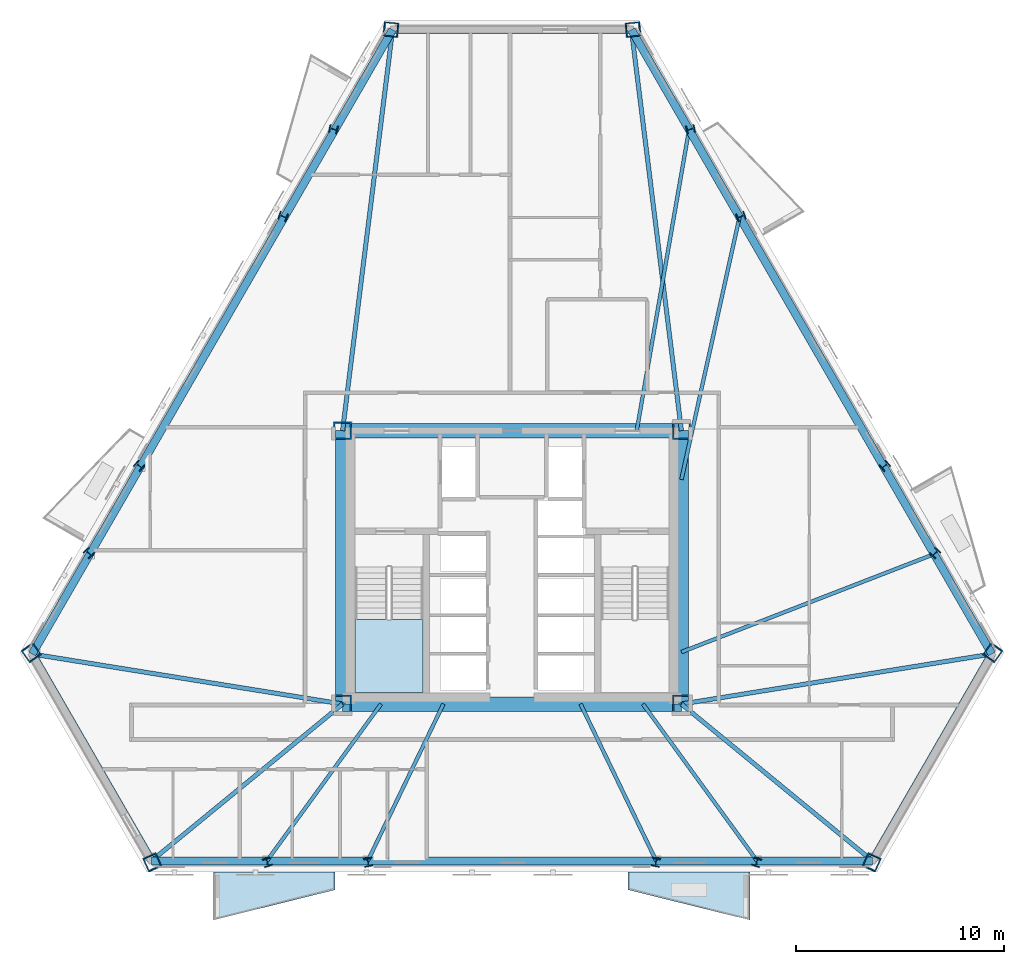
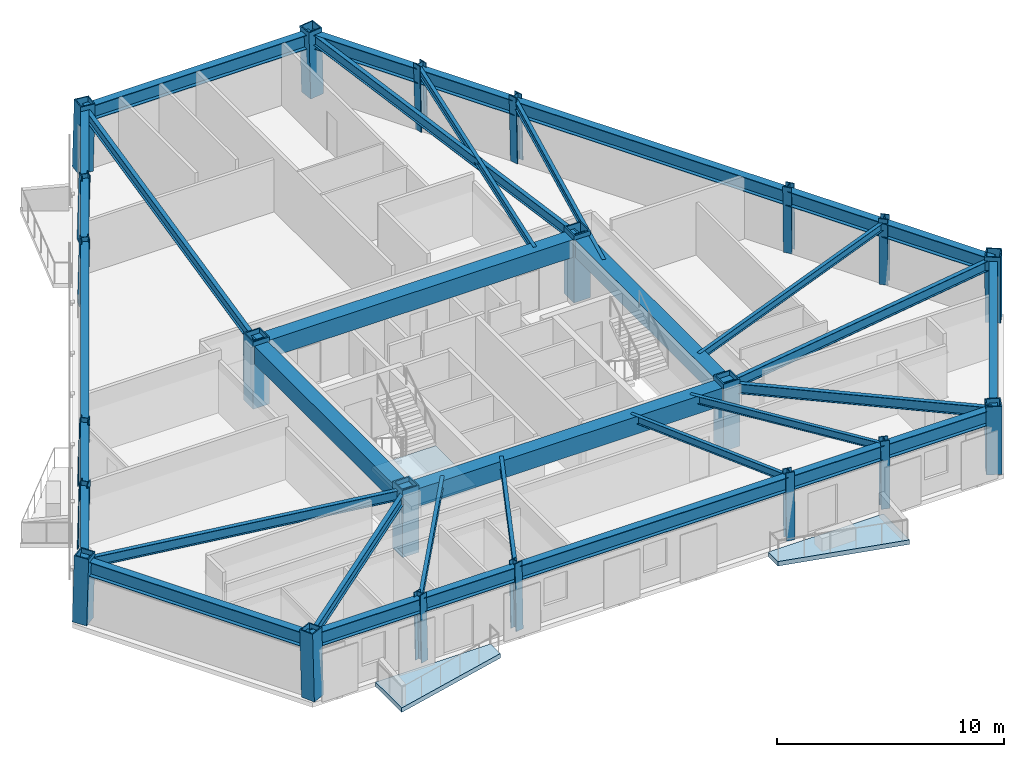
# One storey, part 1 of 9: 35 beams, 22 columns, 3 slabs, 1 element without a shape of its own.
"""IFC4 building model written with IfcOpenShell, lengths in metres."""

from ifc_helpers import new_model, si_unit, direction, frame, origin, origin_2d, place, context, subcontext, project, spatial, polyline, rectangle, hollow_rectangle, i_section, outline, extrude, material, layer, layer_set, material_profile, profile_set, type_object, element, aggregate, save


model = new_model("IFC4")

# Units and contexts
model_context = context("Model", 3, precision=1e-05, world=origin(), true_north=direction((0.0, 1.0)))
body_context = subcontext(model_context, "Body", "Model", "MODEL_VIEW")
ifc_project = project(units=[si_unit("LENGTHUNIT", "METRE"), si_unit("AREAUNIT", "SQUARE_METRE"), si_unit("VOLUMEUNIT", "CUBIC_METRE"), si_unit("PLANEANGLEUNIT", "RADIAN"), si_unit("MASSUNIT", "GRAM", prefix="KILO")], contexts=[model_context])

# Site, building, storey
site_placement = place(None, origin())
site = spatial("IfcSite", under=ifc_project, at=site_placement, CompositionType="ELEMENT")
building_placement = place(site_placement, origin())
building = spatial("IfcBuilding", under=site, at=building_placement, Name="Oramaril Tower", CompositionType="ELEMENT")
storey_placement = place(building_placement, frame((0.0, 0.0, 104.10009765625)))
storey = spatial("IfcBuildingStorey", under=building, at=storey_placement, Name="L27", CompositionType="ELEMENT", Elevation=104.10009765625)

# Columns
ifc_material_1 = material(Name="Steel ASTM A572 Gr 50", Category="steel")
ifc_material_profile_1 = material_profile(ifc_material_1, hollow_rectangle(XDim=0.85009765625, YDim=0.85009765625, WallThickness=0.070068359375, at=origin_2d()), Name="BOX850X850X70")
ifc_profile_set_1 = profile_set([ifc_material_profile_1], Name="Steel ASTM A572 Gr 50")
column_type_1 = type_object("IfcColumnType", Name="CT-CC3", PredefinedType="COLUMN", material=ifc_profile_set_1)
for number, where, z_axis, x_axis, name in (
    (1, (29.35009765625, 11.0, 0.0), (0.0, 0.0, 1.0), (1.0, 0.0, 0.0), "L27 Core Column CC-1"),
    (2, (45.64990234375, 11.0, 0.0), (0.0, 0.0, 1.0), (1.0, 0.0, 0.0), "L27 Core Column CC-2"),
    (3, (45.64990234375, 24.14990234375, 0.0), (0.0, 0.0, 1.0), (1.0, 0.0, 0.0), "L27 Core Column CC-3"),
    (4, (29.35009765625, 24.14990234375, 0.0), (0.0, 0.0, 1.0), (1.0, 0.0, 0.0), "L27 Core Column CC-4"),
):
    element("IfcColumn", number, at=place(storey_placement, frame(where, z_axis=z_axis, x_axis=x_axis)), inside=storey, type_object=column_type_1, Name=name, PredefinedType="COLUMN", context=body_context, shape_type="SweptSolid", body=[
        extrude(hollow_rectangle(XDim=0.85009765625, YDim=0.85009765625, WallThickness=0.070068359375, at=origin_2d()), origin(), (0.0, 0.0, 1.0), 3.599853515625),
    ])
ifc_material_2 = material(Name="Steel ASTM A572 Gr 50", Category="steel")
ifc_material_profile_2 = material_profile(ifc_material_2, hollow_rectangle(XDim=0.699951171875, YDim=0.699951171875, WallThickness=0.054931640625, at=origin_2d()), Name="BOX700X700X55")
ifc_profile_set_2 = profile_set([ifc_material_profile_2], Name="Steel ASTM A572 Gr 50")
column_type_2 = type_object("IfcColumnType", Name="CT-TC4", PredefinedType="COLUMN", material=ifc_profile_set_2)
for number, where, z_axis, x_axis, name in (
    (5, (14.365478515625, 13.483154296875, 0.00439453125), (0.015291462474, -0.021408047463, 0.999653873438), (0.813733471207, 0.581238193719, 0.0), "L27 Tube Column TC-01"),
    (6, (20.202392578125, 3.373291015625, 0.00439453125), (-0.010873919855, 0.023990585679, 0.999653044644), (-0.910807772267, -0.412830718308, 0.0), "L27 Tube Column TC-02"),
    (7, (54.797607421875, 3.373291015625, 0.00439453125), (0.010873919855, 0.023990585679, 0.999653044644), (-0.910807772267, 0.412830718308, 0.0), "L27 Tube Column TC-03"),
    (8, (60.634521484375, 13.483154296875, 0.00439453125), (-0.015291462474, -0.021408047463, 0.999653873438), (0.813733471207, -0.581238193719, 0.0), "L27 Tube Column TC-04"),
    (9, (43.3369140625, 43.443603515625, 0.00439453125), (-0.026165402281, -0.002582559186, 0.999654291299), (0.098224011783, -0.995164329902, 0.0), "L27 Tube Column TC-05"),
    (10, (31.6630859375, 43.443603515625, 0.00439453125), (0.026165402281, -0.002582559186, 0.999654291299), (0.098224011783, 0.995164329902, 0.0), "L27 Tube Column TC-06"),
):
    element("IfcColumn", number, at=place(storey_placement, frame(where, z_axis=z_axis, x_axis=x_axis)), inside=storey, type_object=column_type_2, Name=name, PredefinedType="COLUMN", context=body_context, shape_type="SweptSolid", body=[
        extrude(hollow_rectangle(XDim=0.699951171875, YDim=0.699951171875, WallThickness=0.054931640625, at=origin_2d()), origin(), (0.0, 0.0, 1.0), 3.59228515625),
    ])
ifc_material_3 = material(Name="Steel ASTM A572 Gr 50", Category="steel")
ifc_material_profile_3 = material_profile(ifc_material_3, i_section(OverallWidth=0.404052734375, OverallDepth=0.406005859375, WebThickness=0.027099609375, FlangeThickness=0.043701171875, at=origin_2d()), Name="W14X233")
ifc_profile_set_3 = profile_set([ifc_material_profile_3], Name="Steel ASTM A572 Gr 50")
column_type_3 = type_object("IfcColumnType", Name="CT-TF3", PredefinedType="COLUMN", material=ifc_profile_set_3)
column_1_placement = place(storey_placement, frame((25.737548828125, 3.373291015625, 0.00439453125), z_axis=(-0.007340132141, 0.02399135783, 0.999685219061), x_axis=(-0.956246364311, -0.292562627041, 0.0)))
element("IfcColumn", 11, at=column_1_placement, inside=storey, type_object=column_type_3, Name="L27 Tube Column TC-07", PredefinedType="COLUMN", context=body_context, shape_type="SweptSolid", body=[
    extrude(i_section(OverallWidth=0.404052734375, OverallDepth=0.406005859375, WebThickness=0.027099609375, FlangeThickness=0.043701171875, at=origin_2d()), origin(), (0.0, 0.0, 1.0), 3.59228515625),
])
for number, where, z_axis, x_axis, name in (
    (12, (30.580810546875, 3.373291015625, 0.00439453125), (-0.004281819846, 0.023991784219, 0.999702986046), (-0.984444806843, -0.175694115669, 0.0), "L27 Tube Column TC-08"),
    (13, (44.419189453125, 3.373291015625, 0.00439453125), (0.004281819846, 0.023991784219, 0.999702986046), (-0.984444806843, 0.175694115669, 0.0), "L27 Tube Column TC-09"),
):
    element("IfcColumn", number, at=place(storey_placement, frame(where, z_axis=z_axis, x_axis=x_axis)), inside=storey, type_object=column_type_3, Name=name, PredefinedType="COLUMN", context=body_context, shape_type="SweptSolid", body=[
        extrude(i_section(OverallWidth=0.404052734375, OverallDepth=0.406005859375, WebThickness=0.027099609375, FlangeThickness=0.043701171875, at=origin_2d()), origin(), (0.0, 0.0, 1.0), 3.592041015625),
    ])
for number, where, z_axis, x_axis, name in (
    (14, (49.262451171875, 3.373291015625, 0.00439453125), (0.007340132141, 0.02399135783, 0.999685219061), (-0.956246364311, 0.292562627041, 0.0), "L27 Tube Column TC-10"),
    (15, (57.866943359375, 18.27685546875, 0.00439453125), (-0.01705900415, -0.018418287349, 0.999684828868), (0.733660694323, -0.679515993635, 0.0), "L27 Tube Column TC-11"),
):
    element("IfcColumn", number, at=place(storey_placement, frame(where, z_axis=z_axis, x_axis=x_axis)), inside=storey, type_object=column_type_3, Name=name, PredefinedType="COLUMN", context=body_context, shape_type="SweptSolid", body=[
        extrude(i_section(OverallWidth=0.404052734375, OverallDepth=0.406005859375, WebThickness=0.027099609375, FlangeThickness=0.043701171875, at=origin_2d()), origin(), (0.0, 0.0, 1.0), 3.59228515625),
    ])
for number, where, z_axis, x_axis, name in (
    (16, (55.4453125, 22.47119140625, 0.00439453125), (-0.018622524127, -0.015700011216, 0.999703311609), (0.644565272957, -0.764549284806, 0.0), "L27 Tube Column TC-12"),
    (17, (48.526123046875, 34.455322265625, 0.00439453125), (-0.022904357376, -0.008223819711, 0.999703835745), (0.337928188485, -0.941171896854, 0.0), "L27 Tube Column TC-13"),
):
    element("IfcColumn", number, at=place(storey_placement, frame(where, z_axis=z_axis, x_axis=x_axis)), inside=storey, type_object=column_type_3, Name=name, PredefinedType="COLUMN", context=body_context, shape_type="SweptSolid", body=[
        extrude(i_section(OverallWidth=0.404052734375, OverallDepth=0.406005859375, WebThickness=0.027099609375, FlangeThickness=0.043701171875, at=origin_2d()), origin(), (0.0, 0.0, 1.0), 3.592041015625),
    ])
for number, where, z_axis, x_axis, name in (
    (18, (46.1044921875, 38.64990234375, 0.00439453125), (-0.024399180592, -0.00557307189, 0.999686761369), (0.222677327733, -0.974892203125, 0.0), "L27 Tube Column TC-14"),
    (19, (28.8955078125, 38.64990234375, 0.00439453125), (0.024399180592, -0.00557307189, 0.999686761369), (0.222677327733, 0.974892203125, 0.0), "L27 Tube Column TC-15"),
):
    element("IfcColumn", number, at=place(storey_placement, frame(where, z_axis=z_axis, x_axis=x_axis)), inside=storey, type_object=column_type_3, Name=name, PredefinedType="COLUMN", context=body_context, shape_type="SweptSolid", body=[
        extrude(i_section(OverallWidth=0.404052734375, OverallDepth=0.406005859375, WebThickness=0.027099609375, FlangeThickness=0.043701171875, at=origin_2d()), origin(), (0.0, 0.0, 1.0), 3.59228515625),
    ])
for number, where, z_axis, x_axis, name in (
    (20, (26.473876953125, 34.455322265625, 0.00439453125), (0.022904357376, -0.008223819711, 0.999703835745), (0.337928188485, 0.941171896854, 0.0), "L27 Tube Column TC-16"),
    (21, (19.5546875, 22.47119140625, 0.00439453125), (0.018622524127, -0.015700011216, 0.999703311609), (0.644565272957, 0.764549284806, 0.0), "L27 Tube Column TC-17"),
):
    element("IfcColumn", number, at=place(storey_placement, frame(where, z_axis=z_axis, x_axis=x_axis)), inside=storey, type_object=column_type_3, Name=name, PredefinedType="COLUMN", context=body_context, shape_type="SweptSolid", body=[
        extrude(i_section(OverallWidth=0.404052734375, OverallDepth=0.406005859375, WebThickness=0.027099609375, FlangeThickness=0.043701171875, at=origin_2d()), origin(), (0.0, 0.0, 1.0), 3.592041015625),
    ])
column_2_placement = place(storey_placement, frame((17.133056640625, 18.27685546875, 0.00439453125), z_axis=(0.01705900415, -0.018418287349, 0.999684828868), x_axis=(0.733660694323, 0.679515993635, 0.0)))
element("IfcColumn", 22, at=column_2_placement, inside=storey, type_object=column_type_3, Name="L27 Tube Column TC-18", PredefinedType="COLUMN", context=body_context, shape_type="SweptSolid", body=[
    extrude(i_section(OverallWidth=0.404052734375, OverallDepth=0.406005859375, WebThickness=0.027099609375, FlangeThickness=0.043701171875, at=origin_2d()), origin(), (0.0, 0.0, 1.0), 3.59228515625),
])

# Beams
ifc_material_4 = material(Name="Concrete C50/60", Category="concrete")
ifc_material_profile_4 = material_profile(ifc_material_4, rectangle(XDim=0.699951171875, YDim=0.949951171875, at=origin_2d()), Name="CB700X950")
ifc_profile_set_4 = profile_set([ifc_material_profile_4], Name="Concrete C50/60")
beam_type_1 = type_object("IfcBeamType", Name="BT-CB1", PredefinedType="BEAM", material=ifc_profile_set_4)
beam_1_placement = place(storey_placement, frame((29.35009765625, 11.0, 2.885009765625), z_axis=(1.0, 0.0, 0.0), x_axis=(0.0, 1.0, 0.0)))
element("IfcBeam", 23, at=beam_1_placement, inside=storey, type_object=beam_type_1, Name="L27 Core Header Beam CB-1", PredefinedType="BEAM", context=body_context, shape_type="SweptSolid", body=[
    extrude(rectangle(XDim=0.699951171875, YDim=0.949951171875, at=origin_2d()), origin(), (0.0, 0.0, 1.0), 16.2998046875),
])
beam_2_placement = place(storey_placement, frame((45.64990234375, 11.0, 2.885009765625), z_axis=(0.0, 1.0, 0.0), x_axis=(-1.0, 0.0, 0.0)))
element("IfcBeam", 24, at=beam_2_placement, inside=storey, type_object=beam_type_1, Name="L27 Core Header Beam CB-2", PredefinedType="BEAM", context=body_context, shape_type="SweptSolid", body=[
    extrude(rectangle(XDim=0.699951171875, YDim=0.949951171875, at=origin_2d()), origin(), (0.0, 0.0, 1.0), 13.14990234375),
])
beam_3_placement = place(storey_placement, frame((45.64990234375, 24.14990234375, 2.885009765625), z_axis=(-1.0, 0.0, 0.0), x_axis=(0.0, -1.0, 0.0)))
element("IfcBeam", 25, at=beam_3_placement, inside=storey, type_object=beam_type_1, Name="L27 Core Header Beam CB-3", PredefinedType="BEAM", context=body_context, shape_type="SweptSolid", body=[
    extrude(rectangle(XDim=0.699951171875, YDim=0.949951171875, at=origin_2d()), origin(), (0.0, 0.0, 1.0), 16.2998046875),
])
beam_4_placement = place(storey_placement, frame((29.35009765625, 24.14990234375, 2.885009765625), z_axis=(0.0, -1.0, 0.0), x_axis=(1.0, 0.0, 0.0)))
element("IfcBeam", 26, at=beam_4_placement, inside=storey, type_object=beam_type_1, Name="L27 Core Header Beam CB-4", PredefinedType="BEAM", context=body_context, shape_type="SweptSolid", body=[
    extrude(rectangle(XDim=0.699951171875, YDim=0.949951171875, at=origin_2d()), origin(), (0.0, 0.0, 1.0), 13.14990234375),
])
ifc_material_5 = material(Name="Steel ASTM A572 Gr 50", Category="steel")
ifc_material_profile_5 = material_profile(ifc_material_5, i_section(OverallWidth=0.2099609375, OverallDepth=0.535888671875, WebThickness=0.010986328125, FlangeThickness=0.017333984375, at=origin_2d()), Name="W21X68")
ifc_profile_set_5 = profile_set([ifc_material_profile_5], Name="Steel ASTM A572 Gr 50")
beam_type_2 = type_object("IfcBeamType", Name="BT-FB2", PredefinedType="BEAM", material=ifc_profile_set_5)
beam_5_placement = place(storey_placement, frame((29.35009765625, 11.0, 3.091796875), z_axis=(-0.987259452578, 0.15911873961, 0.0), x_axis=(-0.15911873961, -0.987259452578, 0.0)))
element("IfcBeam", 27, at=beam_5_placement, inside=storey, type_object=beam_type_2, Name="L27 Radial Primary Beam RB-01", PredefinedType="BEAM", context=body_context, shape_type="SweptSolid", body=[
    extrude(i_section(OverallWidth=0.2099609375, OverallDepth=0.535888671875, WebThickness=0.010986328125, FlangeThickness=0.017333984375, at=origin_2d()), origin(), (0.0, 0.0, 1.0), 15.122314453125),
])
for number, where, z_axis, x_axis, name in (
    (28, (29.35009765625, 11.0, 3.091796875), (-0.77296332964, -0.634450700238, 0.0), (0.634450700238, -0.77296332964, 0.0), "L27 Radial Primary Beam RB-02"),
    (29, (45.64990234375, 11.0, 3.091796875), (0.77296332964, -0.634450700238, 0.0), (0.634450700238, 0.77296332964, 0.0), "L27 Radial Primary Beam RB-03"),
):
    element("IfcBeam", number, at=place(storey_placement, frame(where, z_axis=z_axis, x_axis=x_axis)), inside=storey, type_object=beam_type_2, Name=name, PredefinedType="BEAM", context=body_context, shape_type="SweptSolid", body=[
        extrude(i_section(OverallWidth=0.2099609375, OverallDepth=0.535888671875, WebThickness=0.010986328125, FlangeThickness=0.017333984375, at=origin_2d()), origin(), (0.0, 0.0, 1.0), 11.885009765625),
    ])
beam_6_placement = place(storey_placement, frame((45.64990234375, 11.0, 3.091796875), z_axis=(0.987259452578, 0.15911873961, 0.0), x_axis=(-0.15911873961, 0.987259452578, 0.0)))
element("IfcBeam", 30, at=beam_6_placement, inside=storey, type_object=beam_type_2, Name="L27 Radial Primary Beam RB-04", PredefinedType="BEAM", context=body_context, shape_type="SweptSolid", body=[
    extrude(i_section(OverallWidth=0.2099609375, OverallDepth=0.535888671875, WebThickness=0.010986328125, FlangeThickness=0.017333984375, at=origin_2d()), origin(), (0.0, 0.0, 1.0), 15.122314453125),
])
for number, where, z_axis, x_axis, name in (
    (31, (45.64990234375, 24.14990234375, 3.091796875), (-0.123853832316, 0.99230047275, 0.0), (-0.99230047275, -0.123853832316, 0.0), "L27 Radial Primary Beam RB-05"),
    (32, (29.35009765625, 24.14990234375, 3.091796875), (0.123853832316, 0.99230047275, 0.0), (-0.99230047275, 0.123853832316, 0.0), "L27 Radial Primary Beam RB-06"),
):
    element("IfcBeam", number, at=place(storey_placement, frame(where, z_axis=z_axis, x_axis=x_axis)), inside=storey, type_object=beam_type_2, Name=name, PredefinedType="BEAM", context=body_context, shape_type="SweptSolid", body=[
        extrude(i_section(OverallWidth=0.2099609375, OverallDepth=0.535888671875, WebThickness=0.010986328125, FlangeThickness=0.017333984375, at=origin_2d()), origin(), (0.0, 0.0, 1.0), 19.43408203125),
    ])
ifc_material_6 = material(Name="Steel ASTM A572 Gr 50", Category="steel")
ifc_material_profile_6 = material_profile(ifc_material_6, i_section(OverallWidth=0.177978515625, OverallDepth=0.404052734375, WebThickness=0.007568359375, FlangeThickness=0.010986328125, at=origin_2d()), Name="W16X36")
ifc_profile_set_6 = profile_set([ifc_material_profile_6], Name="Steel ASTM A572 Gr 50")
beam_type_3 = type_object("IfcBeamType", Name="BT-SB1", PredefinedType="BEAM", material=ifc_profile_set_6)
beam_7_placement = place(storey_placement, frame((31.199951171875, 11.0, 3.157958984375), z_axis=(-0.588504728702, -0.808493775051, 0.0), x_axis=(0.808493775051, -0.588504728702, 0.0)))
element("IfcBeam", 33, at=beam_7_placement, inside=storey, type_object=beam_type_3, Name="L27 Secondary Floor Beam SB-01", PredefinedType="BEAM", context=body_context, shape_type="SweptSolid", body=[
    extrude(i_section(OverallWidth=0.177978515625, OverallDepth=0.404052734375, WebThickness=0.007568359375, FlangeThickness=0.010986328125, at=origin_2d()), origin(), (0.0, 0.0, 1.0), 9.32666015625),
])
for number, where, z_axis, x_axis, name in (
    (34, (34.199951171875, 11.0, 3.157958984375), (-0.434193536273, -0.900819611831, 0.0), (0.900819611831, -0.434193536273, 0.0), "L27 Secondary Floor Beam SB-02"),
    (35, (40.800048828125, 11.0, 3.157958984375), (0.434193536273, -0.900819611831, 0.0), (0.900819611831, 0.434193536273, 0.0), "L27 Secondary Floor Beam SB-03"),
):
    element("IfcBeam", number, at=place(storey_placement, frame(where, z_axis=z_axis, x_axis=x_axis)), inside=storey, type_object=beam_type_3, Name=name, PredefinedType="BEAM", context=body_context, shape_type="SweptSolid", body=[
        extrude(i_section(OverallWidth=0.177978515625, OverallDepth=0.404052734375, WebThickness=0.007568359375, FlangeThickness=0.010986328125, at=origin_2d()), origin(), (0.0, 0.0, 1.0), 8.370849609375),
    ])
beam_8_placement = place(storey_placement, frame((43.800048828125, 11.0, 3.157958984375), z_axis=(0.588504728702, -0.808493775051, 0.0), x_axis=(0.808493775051, 0.588504728702, 0.0)))
element("IfcBeam", 36, at=beam_8_placement, inside=storey, type_object=beam_type_3, Name="L27 Secondary Floor Beam SB-04", PredefinedType="BEAM", context=body_context, shape_type="SweptSolid", body=[
    extrude(i_section(OverallWidth=0.177978515625, OverallDepth=0.404052734375, WebThickness=0.007568359375, FlangeThickness=0.010986328125, at=origin_2d()), origin(), (0.0, 0.0, 1.0), 9.32666015625),
])
beam_9_placement = place(storey_placement, frame((45.64990234375, 13.5, 3.157958984375), z_axis=(0.932432789446, 0.361343455962, 0.0), x_axis=(-0.361343455962, 0.932432789446, 0.0)))
element("IfcBeam", 37, at=beam_9_placement, inside=storey, type_object=beam_type_3, Name="L27 Secondary Floor Beam SB-05", PredefinedType="BEAM", context=body_context, shape_type="SweptSolid", body=[
    extrude(i_section(OverallWidth=0.177978515625, OverallDepth=0.404052734375, WebThickness=0.007568359375, FlangeThickness=0.010986328125, at=origin_2d()), origin(), (0.0, 0.0, 1.0), 13.03662109375),
])
beam_10_placement = place(storey_placement, frame((45.64990234375, 21.800048828125, 3.157958984375), z_axis=(0.216062780372, 0.976379472817, 0.0), x_axis=(-0.976379472817, 0.216062780372, 0.0)))
element("IfcBeam", 38, at=beam_10_placement, inside=storey, type_object=beam_type_3, Name="L27 Secondary Floor Beam SB-06", PredefinedType="BEAM", context=body_context, shape_type="SweptSolid", body=[
    extrude(i_section(OverallWidth=0.177978515625, OverallDepth=0.404052734375, WebThickness=0.007568359375, FlangeThickness=0.010986328125, at=origin_2d()), origin(), (0.0, 0.0, 1.0), 12.93115234375),
])
beam_11_placement = place(storey_placement, frame((43.5, 24.14990234375, 3.157958984375), z_axis=(0.171247936235, 0.985227965669, 0.0), x_axis=(-0.985227965669, 0.171247936235, 0.0)))
element("IfcBeam", 39, at=beam_11_placement, inside=storey, type_object=beam_type_3, Name="L27 Secondary Floor Beam SB-07", PredefinedType="BEAM", context=body_context, shape_type="SweptSolid", body=[
    extrude(i_section(OverallWidth=0.177978515625, OverallDepth=0.404052734375, WebThickness=0.007568359375, FlangeThickness=0.010986328125, at=origin_2d()), origin(), (0.0, 0.0, 1.0), 14.697021484375),
])
ifc_material_7 = material(Name="Steel ASTM A572 Gr 50", Category="steel")
ifc_material_profile_7 = material_profile(ifc_material_7, i_section(OverallWidth=0.381103515625, OverallDepth=0.77197265625, WebThickness=0.0166015625, FlangeThickness=0.027099609375, at=origin_2d()), Name="W30X173")
ifc_profile_set_7 = profile_set([ifc_material_profile_7], Name="Steel ASTM A572 Gr 50")
beam_type_4 = type_object("IfcBeamType", Name="BT-SP2", PredefinedType="SPANDREL", material=ifc_profile_set_7)
beam_12_placement = place(storey_placement, frame((14.42041015625, 13.40625, 2.973876953125), z_axis=(0.500009490851, -0.86601992417, 0.0), x_axis=(0.86601992417, 0.500009490851, 0.0)))
element("IfcBeam", 40, at=beam_12_placement, inside=storey, type_object=beam_type_4, Name="L27 Perimeter Spandrel 01", PredefinedType="SPANDREL", context=body_context, shape_type="SweptSolid", body=[
    extrude(i_section(OverallWidth=0.381103515625, OverallDepth=0.77197265625, WebThickness=0.0166015625, FlangeThickness=0.027099609375, at=origin_2d()), origin(), (0.0, 0.0, 1.0), 11.485595703125),
])
beam_13_placement = place(storey_placement, frame((20.163330078125, 3.45947265625, 2.973876953125), z_axis=(1.0, 0.0, 0.0), x_axis=(0.0, 1.0, 0.0)))
element("IfcBeam", 41, at=beam_13_placement, inside=storey, type_object=beam_type_4, Name="L27 Perimeter Spandrel 02", PredefinedType="SPANDREL", context=body_context, shape_type="SweptSolid", body=[
    extrude(i_section(OverallWidth=0.381103515625, OverallDepth=0.77197265625, WebThickness=0.0166015625, FlangeThickness=0.027099609375, at=origin_2d()), origin(), (0.0, 0.0, 1.0), 5.5478515625),
])
beam_14_placement = place(storey_placement, frame((25.711181640625, 3.45947265625, 2.973876953125), z_axis=(1.0, 0.0, 0.0), x_axis=(0.0, 1.0, 0.0)))
element("IfcBeam", 42, at=beam_14_placement, inside=storey, type_object=beam_type_4, Name="L27 Perimeter Spandrel 03", PredefinedType="SPANDREL", context=body_context, shape_type="SweptSolid", body=[
    extrude(i_section(OverallWidth=0.381103515625, OverallDepth=0.77197265625, WebThickness=0.0166015625, FlangeThickness=0.027099609375, at=origin_2d()), origin(), (0.0, 0.0, 1.0), 4.854248046875),
])
beam_15_placement = place(storey_placement, frame((30.5654296875, 3.45947265625, 2.973876953125), z_axis=(1.0, 0.0, 0.0), x_axis=(0.0, 1.0, 0.0)))
element("IfcBeam", 43, at=beam_15_placement, inside=storey, type_object=beam_type_4, Name="L27 Perimeter Spandrel 04", PredefinedType="SPANDREL", context=body_context, shape_type="SweptSolid", body=[
    extrude(i_section(OverallWidth=0.381103515625, OverallDepth=0.77197265625, WebThickness=0.0166015625, FlangeThickness=0.027099609375, at=origin_2d()), origin(), (0.0, 0.0, 1.0), 13.869140625),
])
beam_16_placement = place(storey_placement, frame((44.4345703125, 3.45947265625, 2.973876953125), z_axis=(1.0, 0.0, 0.0), x_axis=(0.0, 1.0, 0.0)))
element("IfcBeam", 44, at=beam_16_placement, inside=storey, type_object=beam_type_4, Name="L27 Perimeter Spandrel 05", PredefinedType="SPANDREL", context=body_context, shape_type="SweptSolid", body=[
    extrude(i_section(OverallWidth=0.381103515625, OverallDepth=0.77197265625, WebThickness=0.0166015625, FlangeThickness=0.027099609375, at=origin_2d()), origin(), (0.0, 0.0, 1.0), 4.854248046875),
])
beam_17_placement = place(storey_placement, frame((49.288818359375, 3.45947265625, 2.973876953125), z_axis=(1.0, 0.0, 0.0), x_axis=(0.0, 1.0, 0.0)))
element("IfcBeam", 45, at=beam_17_placement, inside=storey, type_object=beam_type_4, Name="L27 Perimeter Spandrel 06", PredefinedType="SPANDREL", context=body_context, shape_type="SweptSolid", body=[
    extrude(i_section(OverallWidth=0.381103515625, OverallDepth=0.77197265625, WebThickness=0.0166015625, FlangeThickness=0.027099609375, at=origin_2d()), origin(), (0.0, 0.0, 1.0), 5.5478515625),
])
beam_18_placement = place(storey_placement, frame((54.836669921875, 3.45947265625, 2.973876953125), z_axis=(0.500009490851, 0.86601992417, 0.0), x_axis=(-0.86601992417, 0.500009490851, 0.0)))
element("IfcBeam", 46, at=beam_18_placement, inside=storey, type_object=beam_type_4, Name="L27 Perimeter Spandrel 07", PredefinedType="SPANDREL", context=body_context, shape_type="SweptSolid", body=[
    extrude(i_section(OverallWidth=0.381103515625, OverallDepth=0.77197265625, WebThickness=0.0166015625, FlangeThickness=0.027099609375, at=origin_2d()), origin(), (0.0, 0.0, 1.0), 11.485595703125),
])
beam_19_placement = place(storey_placement, frame((60.57958984375, 13.40625, 2.973876953125), z_axis=(-0.500010695467, 0.866019228666, 0.0), x_axis=(-0.866019228666, -0.500010695467, 0.0)))
element("IfcBeam", 47, at=beam_19_placement, inside=storey, type_object=beam_type_4, Name="L27 Perimeter Spandrel 08", PredefinedType="SPANDREL", context=body_context, shape_type="SweptSolid", body=[
    extrude(i_section(OverallWidth=0.381103515625, OverallDepth=0.77197265625, WebThickness=0.0166015625, FlangeThickness=0.027099609375, at=origin_2d()), origin(), (0.0, 0.0, 1.0), 5.5478515625),
])
beam_20_placement = place(storey_placement, frame((57.8056640625, 18.210693359375, 2.973876953125), z_axis=(-0.500001069878, 0.866024786089, 0.0), x_axis=(-0.866024786089, -0.500001069878, 0.0)))
element("IfcBeam", 48, at=beam_20_placement, inside=storey, type_object=beam_type_4, Name="L27 Perimeter Spandrel 09", PredefinedType="SPANDREL", context=body_context, shape_type="SweptSolid", body=[
    extrude(i_section(OverallWidth=0.381103515625, OverallDepth=0.77197265625, WebThickness=0.0166015625, FlangeThickness=0.027099609375, at=origin_2d()), origin(), (0.0, 0.0, 1.0), 4.8544921875),
])
beam_21_placement = place(storey_placement, frame((55.37841796875, 22.414794921875, 2.973876953125), z_axis=(-0.500001304485, 0.866024650639, 0.0), x_axis=(-0.866024650639, -0.500001304485, 0.0)))
element("IfcBeam", 49, at=beam_21_placement, inside=storey, type_object=beam_type_4, Name="L27 Perimeter Spandrel 10", PredefinedType="SPANDREL", context=body_context, shape_type="SweptSolid", body=[
    extrude(i_section(OverallWidth=0.381103515625, OverallDepth=0.77197265625, WebThickness=0.0166015625, FlangeThickness=0.027099609375, at=origin_2d()), origin(), (0.0, 0.0, 1.0), 13.869140625),
])
beam_22_placement = place(storey_placement, frame((48.44384765625, 34.42578125, 2.973876953125), z_axis=(-0.49996334966, 0.866046562834, 0.0), x_axis=(-0.866046562834, -0.49996334966, 0.0)))
element("IfcBeam", 50, at=beam_22_placement, inside=storey, type_object=beam_type_4, Name="L27 Perimeter Spandrel 11", PredefinedType="SPANDREL", context=body_context, shape_type="SweptSolid", body=[
    extrude(i_section(OverallWidth=0.381103515625, OverallDepth=0.77197265625, WebThickness=0.0166015625, FlangeThickness=0.027099609375, at=origin_2d()), origin(), (0.0, 0.0, 1.0), 4.854248046875),
])
beam_23_placement = place(storey_placement, frame((46.016845703125, 38.6298828125, 2.973876953125), z_axis=(-0.500010695467, 0.866019228666, 0.0), x_axis=(-0.866019228666, -0.500010695467, 0.0)))
element("IfcBeam", 51, at=beam_23_placement, inside=storey, type_object=beam_type_4, Name="L27 Perimeter Spandrel 12", PredefinedType="SPANDREL", context=body_context, shape_type="SweptSolid", body=[
    extrude(i_section(OverallWidth=0.381103515625, OverallDepth=0.77197265625, WebThickness=0.0166015625, FlangeThickness=0.027099609375, at=origin_2d()), origin(), (0.0, 0.0, 1.0), 5.5478515625),
])
beam_24_placement = place(storey_placement, frame((43.242919921875, 43.434326171875, 2.973876953125), z_axis=(-1.0, 0.0, 0.0), x_axis=(0.0, -1.0, 0.0)))
element("IfcBeam", 52, at=beam_24_placement, inside=storey, type_object=beam_type_4, Name="L27 Perimeter Spandrel 13", PredefinedType="SPANDREL", context=body_context, shape_type="SweptSolid", body=[
    extrude(i_section(OverallWidth=0.381103515625, OverallDepth=0.77197265625, WebThickness=0.0166015625, FlangeThickness=0.027099609375, at=origin_2d()), origin(), (0.0, 0.0, 1.0), 11.48583984375),
])
beam_25_placement = place(storey_placement, frame((31.757080078125, 43.434326171875, 2.973876953125), z_axis=(-0.500010695467, -0.866019228666, 0.0), x_axis=(0.866019228666, -0.500010695467, 0.0)))
element("IfcBeam", 53, at=beam_25_placement, inside=storey, type_object=beam_type_4, Name="L27 Perimeter Spandrel 14", PredefinedType="SPANDREL", context=body_context, shape_type="SweptSolid", body=[
    extrude(i_section(OverallWidth=0.381103515625, OverallDepth=0.77197265625, WebThickness=0.0166015625, FlangeThickness=0.027099609375, at=origin_2d()), origin(), (0.0, 0.0, 1.0), 5.5478515625),
])
beam_26_placement = place(storey_placement, frame((28.983154296875, 38.6298828125, 2.973876953125), z_axis=(-0.49996334966, -0.866046562834, 0.0), x_axis=(0.866046562834, -0.49996334966, 0.0)))
element("IfcBeam", 54, at=beam_26_placement, inside=storey, type_object=beam_type_4, Name="L27 Perimeter Spandrel 15", PredefinedType="SPANDREL", context=body_context, shape_type="SweptSolid", body=[
    extrude(i_section(OverallWidth=0.381103515625, OverallDepth=0.77197265625, WebThickness=0.0166015625, FlangeThickness=0.027099609375, at=origin_2d()), origin(), (0.0, 0.0, 1.0), 4.854248046875),
])
beam_27_placement = place(storey_placement, frame((26.55615234375, 34.42578125, 2.973876953125), z_axis=(-0.500001304485, -0.866024650639, 0.0), x_axis=(0.866024650639, -0.500001304485, 0.0)))
element("IfcBeam", 55, at=beam_27_placement, inside=storey, type_object=beam_type_4, Name="L27 Perimeter Spandrel 16", PredefinedType="SPANDREL", context=body_context, shape_type="SweptSolid", body=[
    extrude(i_section(OverallWidth=0.381103515625, OverallDepth=0.77197265625, WebThickness=0.0166015625, FlangeThickness=0.027099609375, at=origin_2d()), origin(), (0.0, 0.0, 1.0), 13.869140625),
])
beam_28_placement = place(storey_placement, frame((19.62158203125, 22.414794921875, 2.973876953125), z_axis=(-0.500001069878, -0.866024786089, 0.0), x_axis=(0.866024786089, -0.500001069878, 0.0)))
element("IfcBeam", 56, at=beam_28_placement, inside=storey, type_object=beam_type_4, Name="L27 Perimeter Spandrel 17", PredefinedType="SPANDREL", context=body_context, shape_type="SweptSolid", body=[
    extrude(i_section(OverallWidth=0.381103515625, OverallDepth=0.77197265625, WebThickness=0.0166015625, FlangeThickness=0.027099609375, at=origin_2d()), origin(), (0.0, 0.0, 1.0), 4.8544921875),
])
beam_29_placement = place(storey_placement, frame((17.1943359375, 18.210693359375, 2.973876953125), z_axis=(-0.500010695467, -0.866019228666, 0.0), x_axis=(0.866019228666, -0.500010695467, 0.0)))
element("IfcBeam", 57, at=beam_29_placement, inside=storey, type_object=beam_type_4, Name="L27 Perimeter Spandrel 18", PredefinedType="SPANDREL", context=body_context, shape_type="SweptSolid", body=[
    extrude(i_section(OverallWidth=0.381103515625, OverallDepth=0.77197265625, WebThickness=0.0166015625, FlangeThickness=0.027099609375, at=origin_2d()), origin(), (0.0, 0.0, 1.0), 5.5478515625),
])

# Slab
ifc_material_8 = material(Name="Concrete C40/50", Category="concrete")
ifc_layer_1 = layer(ifc_material_8, 0.199951171875)
ifc_layer_set_1 = layer_set([ifc_layer_1], Name="SLT-BAL20")
slab_type_1 = type_object("IfcSlabType", Name="SLT-BAL20", PredefinedType="FLOOR", material=ifc_layer_set_1)
slab_1_placement = place(storey_placement, frame((0.0, 0.0, -0.239990234375)))
element("IfcSlab", 58, at=slab_1_placement, inside=storey, type_object=slab_type_1, Name="L27 Cantilevered Balcony Slab L27-BAL-S1", PredefinedType="FLOOR", context=body_context, shape_type="SweptSolid", body=[
    extrude(outline(polyline([(23.13671875, 2.915283203125), (28.98681640625, 2.915283203125), (28.98681640625, 2.063232421875), (23.13671875, 0.61328125), (23.13671875, 2.915283203125)])), origin(), (0.0, 0.0, 1.0), 0.239990234375),
])

# Stair, slab
ifc_material_9 = material(Name="Concrete C50/60", Category="concrete")
stair_type = type_object("IfcStairType", Name="STT-DG-3600", PredefinedType="HALF_TURN_STAIR", material=ifc_material_9)
stair_placement = place(storey_placement, origin())
stair = element("IfcStair", 59, at=stair_placement, inside=storey, type_object=stair_type, Name="L27 Protected PFP Exit Stair ST-1", PredefinedType="HALF_TURN_STAIR")
ifc_material_10 = material(Name="Concrete C50/60", Category="concrete")
ifc_layer_2 = layer(ifc_material_10, 0.199951171875)
ifc_layer_set_2 = layer_set([ifc_layer_2], Name="SLT-LND20")
slab_type_2 = type_object("IfcSlabType", Name="SLT-LND20", PredefinedType="LANDING", material=ifc_layer_set_2)
slab_2_placement = place(storey_placement, frame((0.0, 0.0, 1.599853515625)))
slab_2 = element("IfcSlab", 60, at=slab_2_placement, type_object=slab_type_2, Name="ST-1 landing 1", PredefinedType="LANDING", context=body_context, shape_type="SweptSolid", body=[
    extrude(outline(polyline([(29.949951171875, 15.070068359375), (29.949951171875, 11.550048828125), (33.219970703125, 11.550048828125), (33.219970703125, 15.070068359375), (29.949951171875, 15.070068359375)])), origin(), (0.0, 0.0, 1.0), 0.199951171875),
])
aggregate(stair, [slab_2])

# Slab
ifc_material_11 = material(Name="Concrete C40/50", Category="concrete")
ifc_layer_3 = layer(ifc_material_11, 0.18994140625)
ifc_layer_set_3 = layer_set([ifc_layer_3], Name="SLT-PLN19")
slab_type_3 = type_object("IfcSlabType", Name="SLT-PLN19", PredefinedType="FLOOR", material=ifc_layer_set_3)
slab_3_placement = place(storey_placement, frame((0.0, 0.0, -0.239990234375)))
element("IfcSlab", 61, at=slab_3_placement, inside=storey, type_object=slab_type_3, Name="L27 Tree Planter Balcony Slab L27-BAL-S2", PredefinedType="FLOOR", context=body_context, shape_type="SweptSolid", body=[
    extrude(outline(polyline([(43.08837890625, 2.915283203125), (48.938232421875, 2.915283203125), (48.938232421875, 0.61328125), (43.08837890625, 2.063232421875), (43.08837890625, 2.915283203125)])), origin(), (0.0, 0.0, 1.0), 0.239990234375),
])

save(model, "model.ifc")
